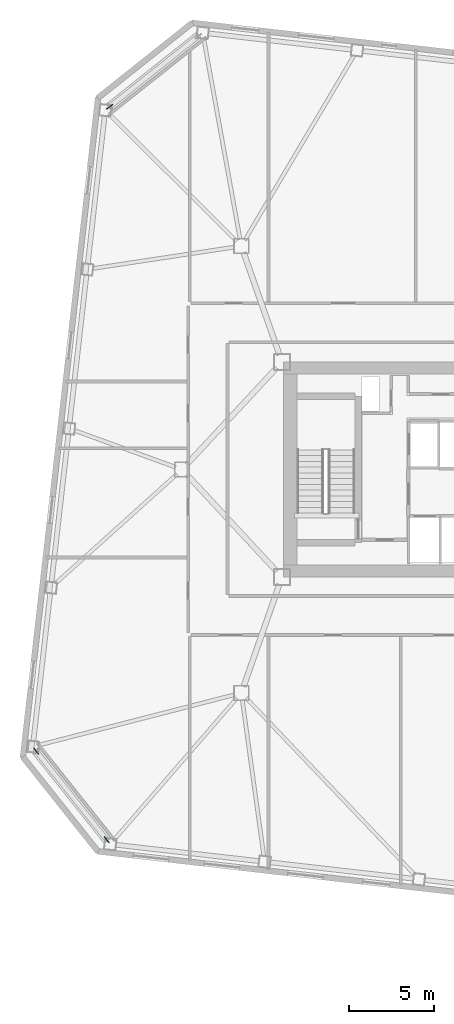
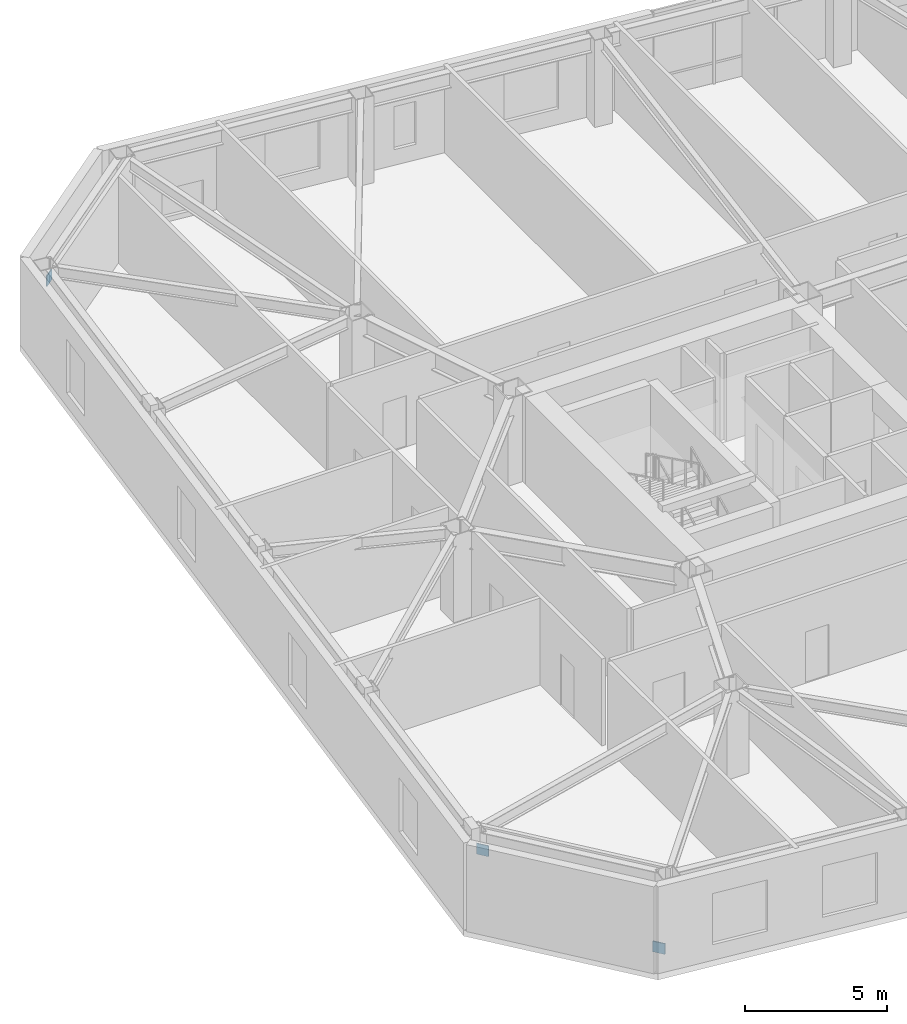
# One storey, part 16 of 21: 3 discrete accessories.
"""IFC4 building model written with IfcOpenShell, lengths in metres."""

from ifc_helpers import new_model, si_unit, direction, frame, origin, origin_2d, place, context, subcontext, project, spatial, rectangle, extrude, material, type_object, element, save


model = new_model("IFC4")

# Units and contexts
model_context = context("Model", 3, precision=1e-05, world=origin(), true_north=direction((0.0, 1.0)))
body_context = subcontext(model_context, "Body", "Model", "MODEL_VIEW")
ifc_project = project(units=[si_unit("LENGTHUNIT", "METRE"), si_unit("AREAUNIT", "SQUARE_METRE"), si_unit("VOLUMEUNIT", "CUBIC_METRE"), si_unit("PLANEANGLEUNIT", "RADIAN"), si_unit("MASSUNIT", "GRAM", prefix="KILO")], contexts=[model_context])

# Site, building, storey
site_placement = place(None, origin())
site = spatial("IfcSite", under=ifc_project, at=site_placement, CompositionType="ELEMENT")
building_placement = place(site_placement, origin())
building = spatial("IfcBuilding", under=site, at=building_placement, Name="Tavrogorsk Clinical Tower", CompositionType="ELEMENT")
storey_placement = place(building_placement, frame((0.0, 0.0, 125.39990234375)))
storey = spatial("IfcBuildingStorey", under=building, at=storey_placement, Name="L28", CompositionType="ELEMENT", Elevation=125.39990234375)

# Discrete accessories
ifc_material = material(Name="Structural steel S440", Category="steel")
discrete_accessory_type = type_object("IfcDiscreteAccessoryType", Name="GussetPlateBracket_25", PredefinedType="BRACKET", material=ifc_material)
for number, where, z_axis, x_axis, name in (
    (1, (-32.27587890625, 21.431884765625, 2.68505859375), (0.0, 0.0, 1.0), (-0.782608156852, -0.622514636638, 0.0), "L28 Brace Gusset Plate EXOCRN-L28-3-B"),
    (2, (-32.452880859375, -21.866455078125, 0.195068359375), (0.0, 0.0, 1.0), (-0.622514636638, 0.782608156852, 0.0), "L28 Brace Gusset Plate EXOCRN-L28-4-A"),
    (3, (-36.613037109375, -16.63623046875, 2.68505859375), (0.0, 0.0, 1.0), (-0.622514636638, 0.782608156852, 0.0), "L28 Brace Gusset Plate EXOCRN-L28-4-B"),
):
    element("IfcDiscreteAccessory", number, at=place(storey_placement, frame(where, z_axis=z_axis, x_axis=x_axis)), inside=storey, type_object=discrete_accessory_type, Name=name, PredefinedType="BRACKET", context=body_context, shape_type="SweptSolid", body=[
        extrude(rectangle(XDim=0.4599609375, YDim=0.0400390625, at=origin_2d()), origin(), (0.0, 0.0, 1.0), 0.4599609375),
    ])

save(model, "model.ifc")
